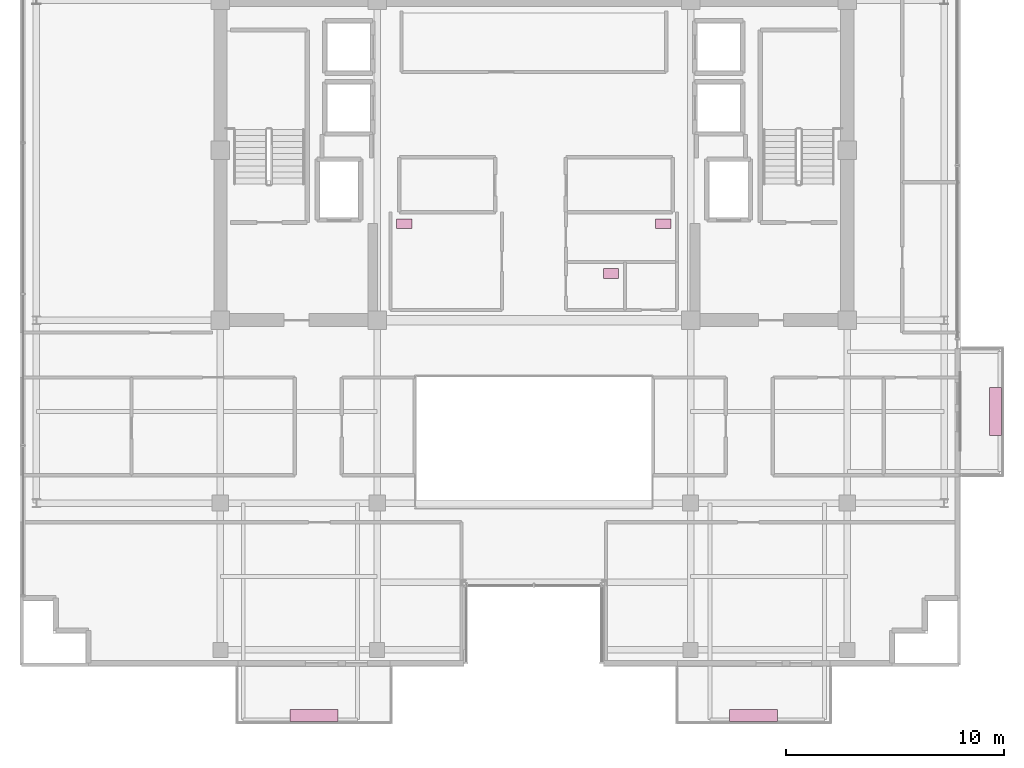
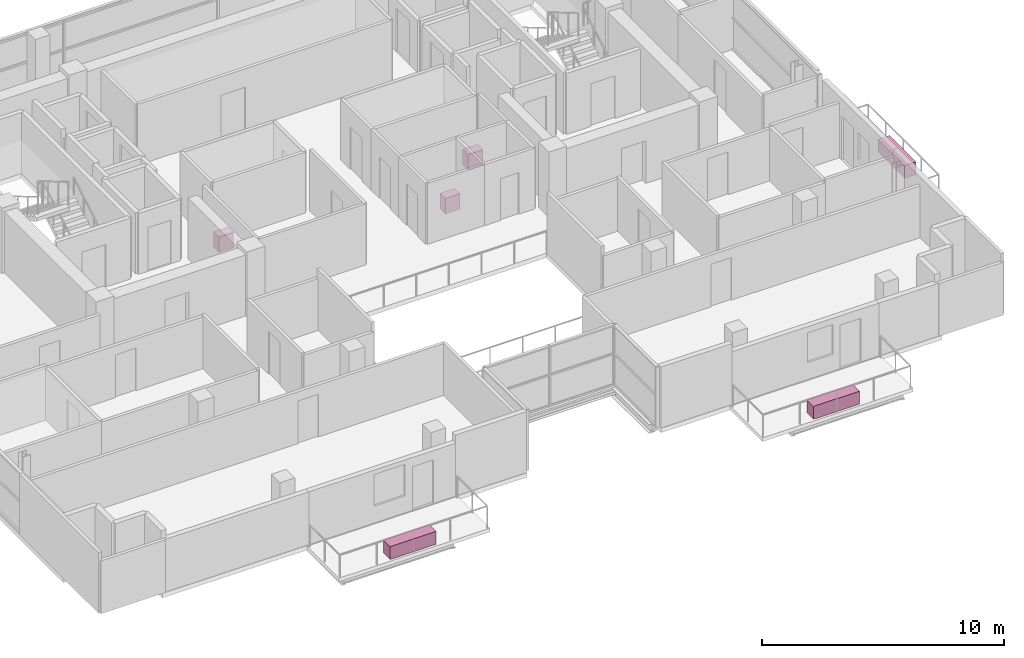
# One storey, part 23 of 23: 6 furnishings.
"""IFC4 building model written with IfcOpenShell, lengths in metres."""

from ifc_helpers import new_model, si_unit, direction, frame, origin, origin_2d, place, context, subcontext, project, spatial, rectangle, extrude, source, transform, mapped, material, type_object, element, save


model = new_model("IFC4")

# Units and contexts
model_context = context("Model", 3, precision=1e-05, world=origin(), true_north=direction((0.0, 1.0)))
body_context = subcontext(model_context, "Body", "Model", "MODEL_VIEW")
ifc_project = project(units=[si_unit("LENGTHUNIT", "METRE"), si_unit("AREAUNIT", "SQUARE_METRE"), si_unit("VOLUMEUNIT", "CUBIC_METRE"), si_unit("PLANEANGLEUNIT", "RADIAN"), si_unit("MASSUNIT", "GRAM", prefix="KILO")], contexts=[model_context])

# Site, building, storey
site_placement = place(None, origin())
site = spatial("IfcSite", under=ifc_project, at=site_placement, CompositionType="ELEMENT")
building_placement = place(site_placement, origin())
building = spatial("IfcBuilding", under=site, at=building_placement, Name="Zarnakvel Exchange Tower", CompositionType="ELEMENT")
storey_placement = place(building_placement, frame((0.0, 0.0, 212.199951171875)))
storey = spatial("IfcBuildingStorey", under=building, at=storey_placement, Name="L59", CompositionType="ELEMENT", Elevation=212.199951171875)

# Furnishings
ifc_material_1 = material(Name="Architectural Bronze Anodised Aluminium", Category="aluminium")
furnishing_element_type_1 = type_object("IfcFurnishingElementType", Name="PLNT-01", material=ifc_material_1)
shared_shape_1 = source(origin(), body_context, "Body", "SweptSolid", [
    extrude(rectangle(XDim=2.199951171875, YDim=0.550048828125, at=origin_2d()), origin(), (0.0, 0.0, 1.0), 0.64990234375),
])
for number, where, z_axis, x_axis, name in (
    (1, (-10.10009765625, -19.3701171875, -0.034912109375), (0.0, 0.0, 1.0), (1.0, 0.0, 0.0), "L59 Balcony Greenery Planter BAL-L59-SW"),
    (2, (10.10009765625, -19.3701171875, -0.034912109375), (0.0, 0.0, 1.0), (1.0, 0.0, 0.0), "L59 Balcony Greenery Planter BAL-L59-SE"),
    (3, (21.219970703125, -5.39990234375, -0.034912109375), (0.0, 0.0, 1.0), (0.0, 1.0, 0.0), "L59 Balcony Greenery Planter BAL-L59-E"),
):
    element("IfcFurnishingElement", number, at=place(storey_placement, frame(where, z_axis=z_axis, x_axis=x_axis)), inside=storey, type_object=furnishing_element_type_1, Name=name, ObjectType="PLANTER", context=body_context, shape_type="MappedRepresentation", body=[
        mapped(shared_shape_1, transform((0.0, 0.0, 0.0), x_axis=(1.0, 0.0, 0.0), y_axis=(0.0, 1.0, 0.0), z_axis=(0.0, 0.0, 1.0), scale=1.0)),
    ])
ifc_material_2 = material(Name="Vitreous China Sanitaryware", Category="ceramic")
furnishing_element_type_2 = type_object("IfcFurnishingElementType", Name="SAN-WC", material=ifc_material_2)
shared_shape_2 = source(origin(), body_context, "Body", "SweptSolid", [
    extrude(rectangle(XDim=0.699951171875, YDim=0.449951171875, at=origin_2d()), origin(), (0.0, 0.0, 1.0), 0.780029296875),
])
for number, where, z_axis, x_axis, name in (
    (4, (-5.949951171875, 3.22998046875, 0.0), (0.0, 0.0, 1.0), (1.0, 0.0, 0.0), "L59 Sanitary Fixture (Male Toilet)"),
    (5, (5.949951171875, 3.22998046875, 0.0), (0.0, 0.0, 1.0), (1.0, 0.0, 0.0), "L59 Sanitary Fixture (Female Toilet)"),
    (6, (3.550048828125, 0.949951171875, 0.0), (0.0, 0.0, 1.0), (1.0, 0.0, 0.0), "L59 Sanitary Fixture (Accessible Toilet)"),
):
    element("IfcFurnishingElement", number, at=place(storey_placement, frame(where, z_axis=z_axis, x_axis=x_axis)), inside=storey, type_object=furnishing_element_type_2, Name=name, ObjectType="SANITARY_FIXTURE", context=body_context, shape_type="MappedRepresentation", body=[
        mapped(shared_shape_2, transform((0.0, 0.0, 0.0), x_axis=(1.0, 0.0, 0.0), y_axis=(0.0, 1.0, 0.0), z_axis=(0.0, 0.0, 1.0), scale=1.0)),
    ])

save(model, "model.ifc")
